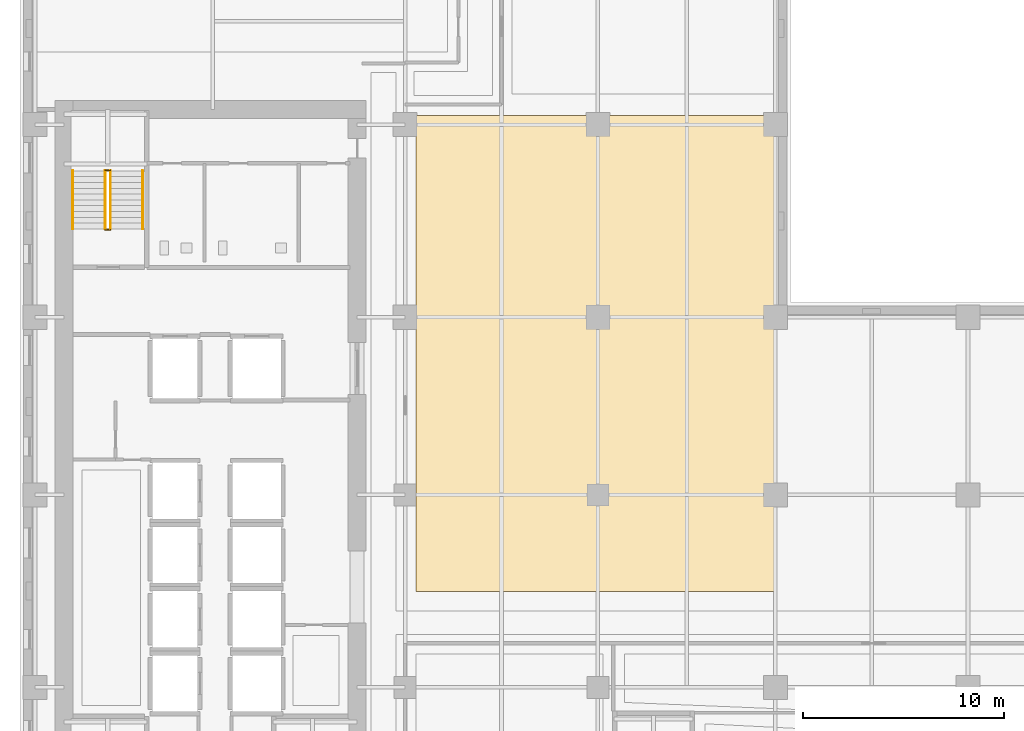
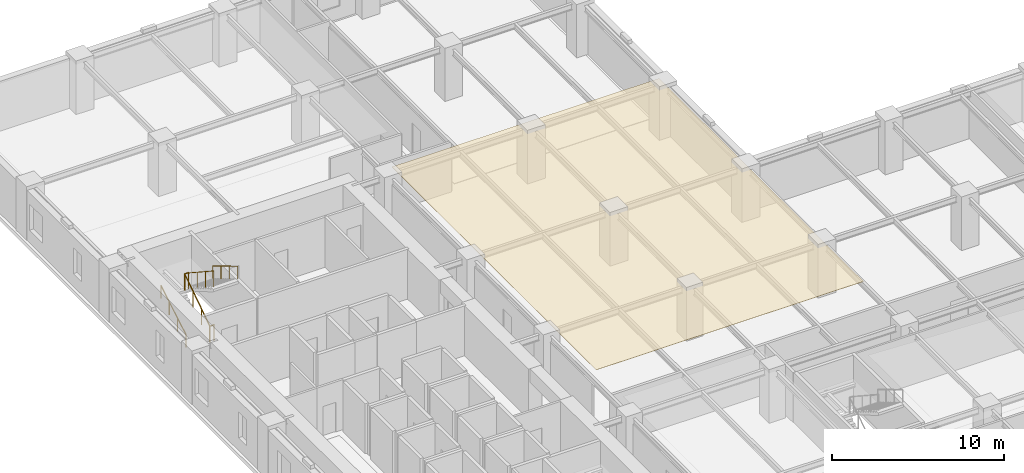
# One storey, part 11 of 13: 6 railings, 1 covering.
"""IFC4 building model written with IfcOpenShell, lengths in metres."""

from ifc_helpers import new_model, si_unit, direction, frame, origin, origin_2d, place, context, subcontext, project, spatial, polyline, circle, outline, extrude, material, layer, layer_set, type_object, element, save


model = new_model("IFC4")

# Units and contexts
model_context = context("Model", 3, precision=1e-05, world=origin(), true_north=direction((0.0, 1.0)))
body_context = subcontext(model_context, "Body", "Model", "MODEL_VIEW")
ifc_project = project(units=[si_unit("LENGTHUNIT", "METRE"), si_unit("AREAUNIT", "SQUARE_METRE"), si_unit("VOLUMEUNIT", "CUBIC_METRE"), si_unit("PLANEANGLEUNIT", "RADIAN"), si_unit("MASSUNIT", "GRAM", prefix="KILO")], contexts=[model_context])

# Site, building, storey
site_placement = place(None, origin())
site = spatial("IfcSite", under=ifc_project, at=site_placement, CompositionType="ELEMENT")
building_placement = place(site_placement, origin())
building = spatial("IfcBuilding", under=site, at=building_placement, Name="Norrvale University Quadrangle", CompositionType="ELEMENT")
storey_placement = place(building_placement, frame((0.0, 0.0, 35.60009765625)))
storey = spatial("IfcBuildingStorey", under=building, at=storey_placement, Name="L08", CompositionType="ELEMENT", Elevation=35.60009765625)

# Covering
ifc_material_1 = material(Name="Perforated Acoustic Mineral Ceiling")
ifc_layer = layer(ifc_material_1, 0.02490234375, Name="Perforated Acoustic Mineral Ceiling")
ifc_layer_set = layer_set([ifc_layer], Name="Perforated Acoustic Mineral Ceiling")
covering_type = type_object("IfcCoveringType", Name="Covering Acoustic Ceiling 25", PredefinedType="CEILING", material=ifc_layer_set)
covering_placement = place(storey_placement, frame((0.0, 0.0, 3.514892578125)))
element("IfcCovering", 1, at=covering_placement, inside=storey, type_object=covering_type, Name="Acoustic Ceiling RM-L08-MNE01", PredefinedType="CEILING", context=body_context, shape_type="SweptSolid", body=[
    extrude(outline(polyline([(19.72998046875, 47.719970703125), (37.64990234375, 47.719970703125), (37.64990234375, 23.97998046875), (19.72998046875, 23.97998046875), (19.72998046875, 47.719970703125)])), origin(), (0.0, 0.0, 1.0), 0.02490234375),
])

# Railings
ifc_material_2 = material(Name="Steel 350W Painted Balustrade", Category="steel")
railing_type_1 = type_object("IfcRailingType", Name="Railing Stair Guard 1100", PredefinedType="GUARDRAIL", material=ifc_material_2)
for number, where, name in (
    (2, (4.239990234375, 42.02001953125, 0.0), "Stair Floor Well Guard ST-02 L08"),
    (3, (4.239990234375, 44.97998046875, 1.89990234375), "Stair Mid-Landing Slot Guard ST-02 L08"),
):
    element("IfcRailing", number, at=place(storey_placement, frame(where)), inside=storey, type_object=railing_type_1, Name=name, PredefinedType="GUARDRAIL", context=body_context, shape_type="SweptSolid", body=[
        extrude(circle(Radius=0.02392578125, at=origin_2d()), frame((0.0, 0.0, 1.1259765625), z_axis=(1.0, 0.0, 0.0), x_axis=(0.0, 1.0, 0.0)), (0.0, 0.0, 1.0), 0.27001953125),
        extrude(circle(Radius=0.02099609375, at=origin_2d()), origin(), (0.0, 0.0, 1.0), 1.101806640625),
        extrude(circle(Radius=0.02099609375, at=origin_2d()), frame((0.27001953125, 0.0, 0.0)), (0.0, 0.0, 1.0), 1.101806640625),
    ])
railing_1_placement = place(storey_placement, frame((4.239990234375, 42.050048828125, 0.0)))
element("IfcRailing", 4, at=railing_1_placement, inside=storey, type_object=railing_type_1, Name="Stair Lower Flight Inner Guard ST-02 L08", PredefinedType="GUARDRAIL", context=body_context, shape_type="SweptSolid", body=[
    extrude(circle(Radius=0.02392578125, at=origin_2d()), frame((0.0, 0.0, 1.1259765625), z_axis=(0.0, 0.836465582154, 0.548019461216), x_axis=(-1.0, 0.0, 0.0)), (0.0, 0.0, 1.0), 3.466796875),
    extrude(circle(Radius=0.02099609375, at=origin_2d()), origin(), (0.0, 0.0, 1.0), 1.101806640625),
    extrude(circle(Radius=0.02099609375, at=origin_2d()), frame((0.0, 0.966552734375, 0.63330078125)), (0.0, 0.0, 1.0), 1.101806640625),
    extrude(circle(Radius=0.02099609375, at=origin_2d()), frame((0.0, 1.933349609375, 1.2666015625)), (0.0, 0.0, 1.0), 1.101806640625),
    extrude(circle(Radius=0.02099609375, at=origin_2d()), frame((0.0, 2.89990234375, 1.89990234375)), (0.0, 0.0, 1.0), 1.101806640625),
])
railing_2_placement = place(storey_placement, frame((4.510009765625, 44.949951171875, 1.89990234375)))
element("IfcRailing", 5, at=railing_2_placement, inside=storey, type_object=railing_type_1, Name="Stair Upper Flight Inner Guard ST-02 L08", PredefinedType="GUARDRAIL", context=body_context, shape_type="SweptSolid", body=[
    extrude(circle(Radius=0.02392578125, at=origin_2d()), frame((0.0, 0.0, 1.1259765625), z_axis=(0.0, -0.836465582154, 0.548019461216), x_axis=(1.0, 0.0, 0.0)), (0.0, 0.0, 1.0), 3.466796875),
    extrude(circle(Radius=0.02099609375, at=origin_2d()), origin(), (0.0, 0.0, 1.0), 1.101806640625),
    extrude(circle(Radius=0.02099609375, at=origin_2d()), frame((0.0, -0.966552734375, 0.63330078125)), (0.0, 0.0, 1.0), 1.101806640625),
    extrude(circle(Radius=0.02099609375, at=origin_2d()), frame((0.0, -1.933349609375, 1.2666015625)), (0.0, 0.0, 1.0), 1.101806640625),
    extrude(circle(Radius=0.02099609375, at=origin_2d()), frame((0.0, -2.89990234375, 1.89990234375)), (0.0, 0.0, 1.0), 1.101806640625),
])
ifc_material_3 = material(Name="Stainless Steel 316L Handrail", Category="steel")
railing_type_2 = type_object("IfcRailingType", Name="Railing Stair Handrail 920", PredefinedType="HANDRAIL", material=ifc_material_3)
railing_3_placement = place(storey_placement, frame((2.639892578125, 42.050048828125, 0.172607421875)))
element("IfcRailing", 6, at=railing_3_placement, inside=storey, type_object=railing_type_2, Name="Stair Lower Flight Handrail ST-02 L08", PredefinedType="HANDRAIL", context=body_context, shape_type="SweptSolid", body=[
    extrude(circle(Radius=0.02392578125, at=origin_2d()), frame((0.0, 0.0, 0.89599609375), z_axis=(0.0, 0.859141464434, 0.511738159696), x_axis=(-1.0, 0.0, 0.0)), (0.0, 0.0, 1.0), 3.375244140625),
    extrude(circle(Radius=0.02099609375, at=origin_2d()), origin(), (0.0, 0.0, 1.0), 0.871826171875),
    extrude(circle(Radius=0.02099609375, at=origin_2d()), frame((0.0, 0.966552734375, 0.57568359375)), (0.0, 0.0, 1.0), 0.871826171875),
    extrude(circle(Radius=0.02099609375, at=origin_2d()), frame((0.0, 1.933349609375, 1.151611328125)), (0.0, 0.0, 1.0), 0.871826171875),
    extrude(circle(Radius=0.02099609375, at=origin_2d()), frame((0.0, 2.89990234375, 1.727294921875)), (0.0, 0.0, 1.0), 0.871826171875),
])
railing_4_placement = place(storey_placement, frame((6.110107421875, 44.949951171875, 2.072509765625)))
element("IfcRailing", 7, at=railing_4_placement, inside=storey, type_object=railing_type_2, Name="Stair Upper Flight Handrail ST-02 L08", PredefinedType="HANDRAIL", context=body_context, shape_type="SweptSolid", body=[
    extrude(circle(Radius=0.02392578125, at=origin_2d()), frame((0.0, 0.0, 0.89599609375), z_axis=(0.0, -0.859141464434, 0.511738159696), x_axis=(1.0, 0.0, 0.0)), (0.0, 0.0, 1.0), 3.375244140625),
    extrude(circle(Radius=0.02099609375, at=origin_2d()), origin(), (0.0, 0.0, 1.0), 0.871826171875),
    extrude(circle(Radius=0.02099609375, at=origin_2d()), frame((0.0, -0.966552734375, 0.57568359375)), (0.0, 0.0, 1.0), 0.871826171875),
    extrude(circle(Radius=0.02099609375, at=origin_2d()), frame((0.0, -1.933349609375, 1.151611328125)), (0.0, 0.0, 1.0), 0.871826171875),
    extrude(circle(Radius=0.02099609375, at=origin_2d()), frame((0.0, -2.89990234375, 1.727294921875)), (0.0, 0.0, 1.0), 0.871826171875),
])

save(model, "model.ifc")
